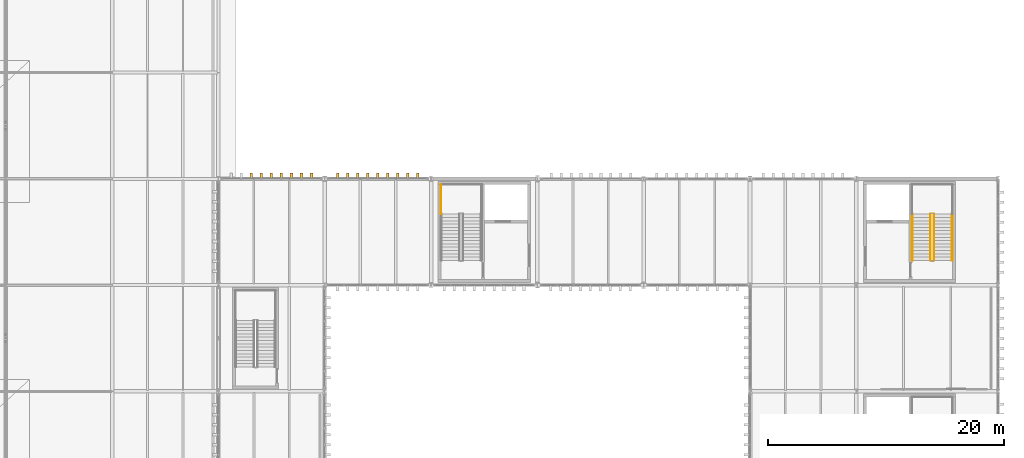
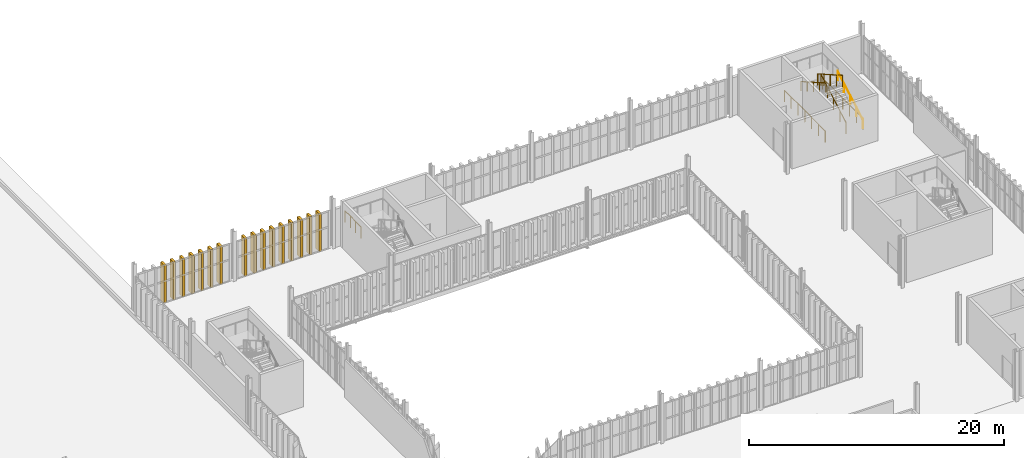
# One storey, part 194 of 196: 16 shading devices, 7 railings.
"""IFC4 building model written with IfcOpenShell, lengths in metres."""

from ifc_helpers import new_model, si_unit, direction, frame, origin, origin_2d, place, context, subcontext, project, spatial, rectangle, circle, extrude, material, type_object, element, save


model = new_model("IFC4")

# Units and contexts
model_context = context("Model", 3, precision=1e-05, world=origin(), true_north=direction((0.0, 1.0)))
body_context = subcontext(model_context, "Body", "Model", "MODEL_VIEW")
ifc_project = project(units=[si_unit("LENGTHUNIT", "METRE"), si_unit("AREAUNIT", "SQUARE_METRE"), si_unit("VOLUMEUNIT", "CUBIC_METRE"), si_unit("PLANEANGLEUNIT", "RADIAN"), si_unit("MASSUNIT", "GRAM", prefix="KILO")], contexts=[model_context])

# Site, building, storey
site_placement = place(None, origin())
site = spatial("IfcSite", under=ifc_project, at=site_placement, CompositionType="ELEMENT")
building_placement = place(site_placement, origin())
building = spatial("IfcBuilding", under=site, at=building_placement, Name="Barlavento Convention Centre", CompositionType="ELEMENT")
storey_placement = place(building_placement, frame((0.0, 0.0, 18.0)))
storey = spatial("IfcBuildingStorey", under=building, at=storey_placement, Name="L03", CompositionType="ELEMENT", Elevation=18.0)

# Railings
ifc_material_1 = material(Name="Stainless steel and laminated glass balustrade", Category="steel")
railing_type_1 = type_object("IfcRailingType", Name="ARC-RAL-BAL-1100", PredefinedType="BALUSTRADE", material=ifc_material_1)
railing_1_placement = place(storey_placement, frame((186.580078125, 92.090087890625, 0.159912109375)))
element("IfcRailing", 1, at=railing_1_placement, inside=storey, type_object=railing_type_1, Name="L03 ST08 stair guard 1", PredefinedType="BALUSTRADE", context=body_context, shape_type="SweptSolid", body=[
    extrude(circle(Radius=0.02392578125, at=origin_2d()), frame((0.0, 0.0, 1.076171875), z_axis=(0.0, 0.868239814368, 0.496144761885), x_axis=(-1.0, 0.0, 0.0)), (0.0, 0.0, 1.0), 4.514892578125),
    extrude(circle(Radius=0.02099609375, at=origin_2d()), origin(), (0.0, 0.0, 1.0), 1.052001953125),
    extrude(circle(Radius=0.02099609375, at=origin_2d()), frame((0.0, 0.97998046875, 0.56005859375)), (0.0, 0.0, 1.0), 1.052001953125),
    extrude(circle(Radius=0.02099609375, at=origin_2d()), frame((0.0, 1.9599609375, 1.1201171875)), (0.0, 0.0, 1.0), 1.052001953125),
    extrude(circle(Radius=0.02099609375, at=origin_2d()), frame((0.0, 2.93994140625, 1.679931640625)), (0.0, 0.0, 1.0), 1.052001953125),
    extrude(circle(Radius=0.02099609375, at=origin_2d()), frame((0.0, 3.919921875, 2.239990234375)), (0.0, 0.0, 1.0), 1.052001953125),
])
railing_2_placement = place(storey_placement, frame((186.280029296875, 96.010009765625, 2.56005859375)))
element("IfcRailing", 2, at=railing_2_placement, inside=storey, type_object=railing_type_1, Name="L03 ST08 stair guard 3", PredefinedType="BALUSTRADE", context=body_context, shape_type="SweptSolid", body=[
    extrude(circle(Radius=0.02392578125, at=origin_2d()), frame((0.0, 0.0, 1.076171875), z_axis=(0.0, -0.868239814368, 0.496144761885), x_axis=(1.0, 0.0, 0.0)), (0.0, 0.0, 1.0), 4.514892578125),
    extrude(circle(Radius=0.02099609375, at=origin_2d()), origin(), (0.0, 0.0, 1.0), 1.052001953125),
    extrude(circle(Radius=0.02099609375, at=origin_2d()), frame((0.0, -0.97998046875, 0.56005859375)), (0.0, 0.0, 1.0), 1.052001953125),
    extrude(circle(Radius=0.02099609375, at=origin_2d()), frame((0.0, -1.9599609375, 1.1201171875)), (0.0, 0.0, 1.0), 1.052001953125),
    extrude(circle(Radius=0.02099609375, at=origin_2d()), frame((0.0, -2.93994140625, 1.679931640625)), (0.0, 0.0, 1.0), 1.052001953125),
    extrude(circle(Radius=0.02099609375, at=origin_2d()), frame((0.0, -3.919921875, 2.239990234375)), (0.0, 0.0, 1.0), 1.052001953125),
])
railing_3_placement = place(storey_placement, frame((188.14990234375, 92.114990234375, 0.0)))
element("IfcRailing", 3, at=railing_3_placement, inside=storey, type_object=railing_type_1, Name="L03 stairwell perimeter guard GR01", PredefinedType="BALUSTRADE", context=body_context, shape_type="SweptSolid", body=[
    extrude(circle(Radius=0.02392578125, at=origin_2d()), frame((0.0, 0.0, 1.076171875), z_axis=(0.0, 1.0, 0.0), x_axis=(-1.0, 0.0, 0.0)), (0.0, 0.0, 1.0), 6.4150390625),
    extrude(circle(Radius=0.02099609375, at=origin_2d()), origin(), (0.0, 0.0, 1.0), 1.052001953125),
    extrude(circle(Radius=0.02099609375, at=origin_2d()), frame((0.0, 1.069091796875, 0.0)), (0.0, 0.0, 1.0), 1.052001953125),
    extrude(circle(Radius=0.02099609375, at=origin_2d()), frame((0.0, 2.138427734375, 0.0)), (0.0, 0.0, 1.0), 1.052001953125),
    extrude(circle(Radius=0.02099609375, at=origin_2d()), frame((0.0, 3.20751953125, 0.0)), (0.0, 0.0, 1.0), 1.052001953125),
    extrude(circle(Radius=0.02099609375, at=origin_2d()), frame((0.0, 4.276611328125, 0.0)), (0.0, 0.0, 1.0), 1.052001953125),
    extrude(circle(Radius=0.02099609375, at=origin_2d()), frame((0.0, 5.345947265625, 0.0)), (0.0, 0.0, 1.0), 1.052001953125),
    extrude(circle(Radius=0.02099609375, at=origin_2d()), frame((0.0, 6.4150390625, 0.0)), (0.0, 0.0, 1.0), 1.052001953125),
])
railing_4_placement = place(storey_placement, frame((184.7099609375, 98.530029296875, 0.0)))
element("IfcRailing", 4, at=railing_4_placement, inside=storey, type_object=railing_type_1, Name="L03 stairwell perimeter guard GR01", PredefinedType="BALUSTRADE", context=body_context, shape_type="SweptSolid", body=[
    extrude(circle(Radius=0.02392578125, at=origin_2d()), frame((0.0, 0.0, 1.076171875), z_axis=(0.0, -1.0, 0.0), x_axis=(1.0, 0.0, 0.0)), (0.0, 0.0, 1.0), 6.4150390625),
    extrude(circle(Radius=0.02099609375, at=origin_2d()), origin(), (0.0, 0.0, 1.0), 1.052001953125),
    extrude(circle(Radius=0.02099609375, at=origin_2d()), frame((0.0, -1.069091796875, 0.0)), (0.0, 0.0, 1.0), 1.052001953125),
    extrude(circle(Radius=0.02099609375, at=origin_2d()), frame((0.0, -2.138427734375, 0.0)), (0.0, 0.0, 1.0), 1.052001953125),
    extrude(circle(Radius=0.02099609375, at=origin_2d()), frame((0.0, -3.20751953125, 0.0)), (0.0, 0.0, 1.0), 1.052001953125),
    extrude(circle(Radius=0.02099609375, at=origin_2d()), frame((0.0, -4.276611328125, 0.0)), (0.0, 0.0, 1.0), 1.052001953125),
    extrude(circle(Radius=0.02099609375, at=origin_2d()), frame((0.0, -5.345947265625, 0.0)), (0.0, 0.0, 1.0), 1.052001953125),
    extrude(circle(Radius=0.02099609375, at=origin_2d()), frame((0.0, -6.4150390625, 0.0)), (0.0, 0.0, 1.0), 1.052001953125),
])
railing_5_placement = place(storey_placement, frame((144.85009765625, 96.010009765625, 2.39990234375)))
element("IfcRailing", 5, at=railing_5_placement, inside=storey, type_object=railing_type_1, Name="L03 landing guard GR01", PredefinedType="BALUSTRADE", context=body_context, shape_type="SweptSolid", body=[
    extrude(circle(Radius=0.02392578125, at=origin_2d()), frame((0.0, 0.0, 1.076171875), z_axis=(0.0, 1.0, 0.0), x_axis=(-1.0, 0.0, 0.0)), (0.0, 0.0, 1.0), 2.52001953125),
    extrude(circle(Radius=0.02099609375, at=origin_2d()), origin(), (0.0, 0.0, 1.0), 1.052001953125),
    extrude(circle(Radius=0.02099609375, at=origin_2d()), frame((0.0, 0.840087890625, 0.0)), (0.0, 0.0, 1.0), 1.052001953125),
    extrude(circle(Radius=0.02099609375, at=origin_2d()), frame((0.0, 1.679931640625, 0.0)), (0.0, 0.0, 1.0), 1.052001953125),
    extrude(circle(Radius=0.02099609375, at=origin_2d()), frame((0.0, 2.52001953125, 0.0)), (0.0, 0.0, 1.0), 1.052001953125),
])
ifc_material_2 = material(Name="Brushed stainless steel tubular handrail", Category="steel")
railing_type_2 = type_object("IfcRailingType", Name="ARC-RAL-HR-900", PredefinedType="HANDRAIL", material=ifc_material_2)
railing_6_placement = place(storey_placement, frame((188.10009765625, 92.090087890625, 0.159912109375)))
element("IfcRailing", 6, at=railing_6_placement, inside=storey, type_object=railing_type_2, Name="L03 ST08 stair handrail 1", PredefinedType="HANDRAIL", context=body_context, shape_type="SweptSolid", body=[
    extrude(circle(Radius=0.02392578125, at=origin_2d()), frame((0.0, 0.0, 0.8759765625), z_axis=(0.0, 0.868239814368, 0.496144761885), x_axis=(-1.0, 0.0, 0.0)), (0.0, 0.0, 1.0), 4.514892578125),
    extrude(circle(Radius=0.02099609375, at=origin_2d()), origin(), (0.0, 0.0, 1.0), 0.851806640625),
    extrude(circle(Radius=0.02099609375, at=origin_2d()), frame((0.0, 0.97998046875, 0.56005859375)), (0.0, 0.0, 1.0), 0.851806640625),
    extrude(circle(Radius=0.02099609375, at=origin_2d()), frame((0.0, 1.9599609375, 1.1201171875)), (0.0, 0.0, 1.0), 0.851806640625),
    extrude(circle(Radius=0.02099609375, at=origin_2d()), frame((0.0, 2.93994140625, 1.679931640625)), (0.0, 0.0, 1.0), 0.851806640625),
    extrude(circle(Radius=0.02099609375, at=origin_2d()), frame((0.0, 3.919921875, 2.239990234375)), (0.0, 0.0, 1.0), 0.851806640625),
])
railing_7_placement = place(storey_placement, frame((184.760009765625, 96.010009765625, 2.56005859375)))
element("IfcRailing", 7, at=railing_7_placement, inside=storey, type_object=railing_type_2, Name="L03 ST08 stair handrail 2", PredefinedType="HANDRAIL", context=body_context, shape_type="SweptSolid", body=[
    extrude(circle(Radius=0.02392578125, at=origin_2d()), frame((0.0, 0.0, 0.8759765625), z_axis=(0.0, -0.868239814368, 0.496144761885), x_axis=(1.0, 0.0, 0.0)), (0.0, 0.0, 1.0), 4.514892578125),
    extrude(circle(Radius=0.02099609375, at=origin_2d()), origin(), (0.0, 0.0, 1.0), 0.851806640625),
    extrude(circle(Radius=0.02099609375, at=origin_2d()), frame((0.0, -0.97998046875, 0.56005859375)), (0.0, 0.0, 1.0), 0.851806640625),
    extrude(circle(Radius=0.02099609375, at=origin_2d()), frame((0.0, -1.9599609375, 1.1201171875)), (0.0, 0.0, 1.0), 0.851806640625),
    extrude(circle(Radius=0.02099609375, at=origin_2d()), frame((0.0, -2.93994140625, 1.679931640625)), (0.0, 0.0, 1.0), 0.851806640625),
    extrude(circle(Radius=0.02099609375, at=origin_2d()), frame((0.0, -3.919921875, 2.239990234375)), (0.0, 0.0, 1.0), 0.851806640625),
])

# Shading devices
ifc_material_3 = material(Name="PVDF white extruded aluminium", Category="aluminium")
shading_device_type = type_object("IfcShadingDeviceType", Name="ARC-SHD-FIN-480", PredefinedType="USERDEFINED", material=ifc_material_3)
for number, where, z_axis, x_axis, name in (
    (8, (128.787109375, 99.239990234375, 0.0), (0.0, 0.0, 1.0), (1.0, 0.0, 0.0), "White vertical solar shading fin VF01"),
    (9, (129.635986328125, 99.239990234375, 0.0), (0.0, 0.0, 1.0), (1.0, 0.0, 0.0), "White vertical solar shading fin VF01"),
    (10, (130.485107421875, 99.239990234375, 0.0), (0.0, 0.0, 1.0), (1.0, 0.0, 0.0), "White vertical solar shading fin VF01"),
    (11, (131.333984375, 99.239990234375, 0.0), (0.0, 0.0, 1.0), (1.0, 0.0, 0.0), "White vertical solar shading fin VF01"),
    (12, (132.18310546875, 99.239990234375, 0.0), (0.0, 0.0, 1.0), (1.0, 0.0, 0.0), "White vertical solar shading fin VF01"),
    (13, (133.031982421875, 99.239990234375, 0.0), (0.0, 0.0, 1.0), (1.0, 0.0, 0.0), "White vertical solar shading fin VF01"),
    (14, (133.881103515625, 99.239990234375, 0.0), (0.0, 0.0, 1.0), (1.0, 0.0, 0.0), "White vertical solar shading fin VF01"),
    (15, (136.113525390625, 99.239990234375, 0.0), (0.0, 0.0, 1.0), (1.0, 0.0, 0.0), "White vertical solar shading fin VF01"),
    (16, (136.95703125, 99.239990234375, 0.0), (0.0, 0.0, 1.0), (1.0, 0.0, 0.0), "White vertical solar shading fin VF01"),
    (17, (137.800537109375, 99.239990234375, 0.0), (0.0, 0.0, 1.0), (1.0, 0.0, 0.0), "White vertical solar shading fin VF01"),
    (18, (138.64404296875, 99.239990234375, 0.0), (0.0, 0.0, 1.0), (1.0, 0.0, 0.0), "White vertical solar shading fin VF01"),
    (19, (139.487548828125, 99.239990234375, 0.0), (0.0, 0.0, 1.0), (1.0, 0.0, 0.0), "White vertical solar shading fin VF01"),
    (20, (140.3310546875, 99.239990234375, 0.0), (0.0, 0.0, 1.0), (1.0, 0.0, 0.0), "White vertical solar shading fin VF01"),
    (21, (141.174560546875, 99.239990234375, 0.0), (0.0, 0.0, 1.0), (1.0, 0.0, 0.0), "White vertical solar shading fin VF01"),
    (22, (142.01806640625, 99.239990234375, 0.0), (0.0, 0.0, 1.0), (1.0, 0.0, 0.0), "White vertical solar shading fin VF01"),
    (23, (142.861572265625, 99.239990234375, 0.0), (0.0, 0.0, 1.0), (1.0, 0.0, 0.0), "White vertical solar shading fin VF01"),
):
    element("IfcShadingDevice", number, at=place(storey_placement, frame(where, z_axis=z_axis, x_axis=x_axis)), inside=storey, type_object=shading_device_type, Name=name, ObjectType="FIN", PredefinedType="USERDEFINED", context=body_context, shape_type="SweptSolid", body=[
        extrude(rectangle(XDim=0.219970703125, YDim=0.52001953125, at=origin_2d()), origin(), (0.0, 0.0, 1.0), 3.64990234375),
    ])

save(model, "model.ifc")
